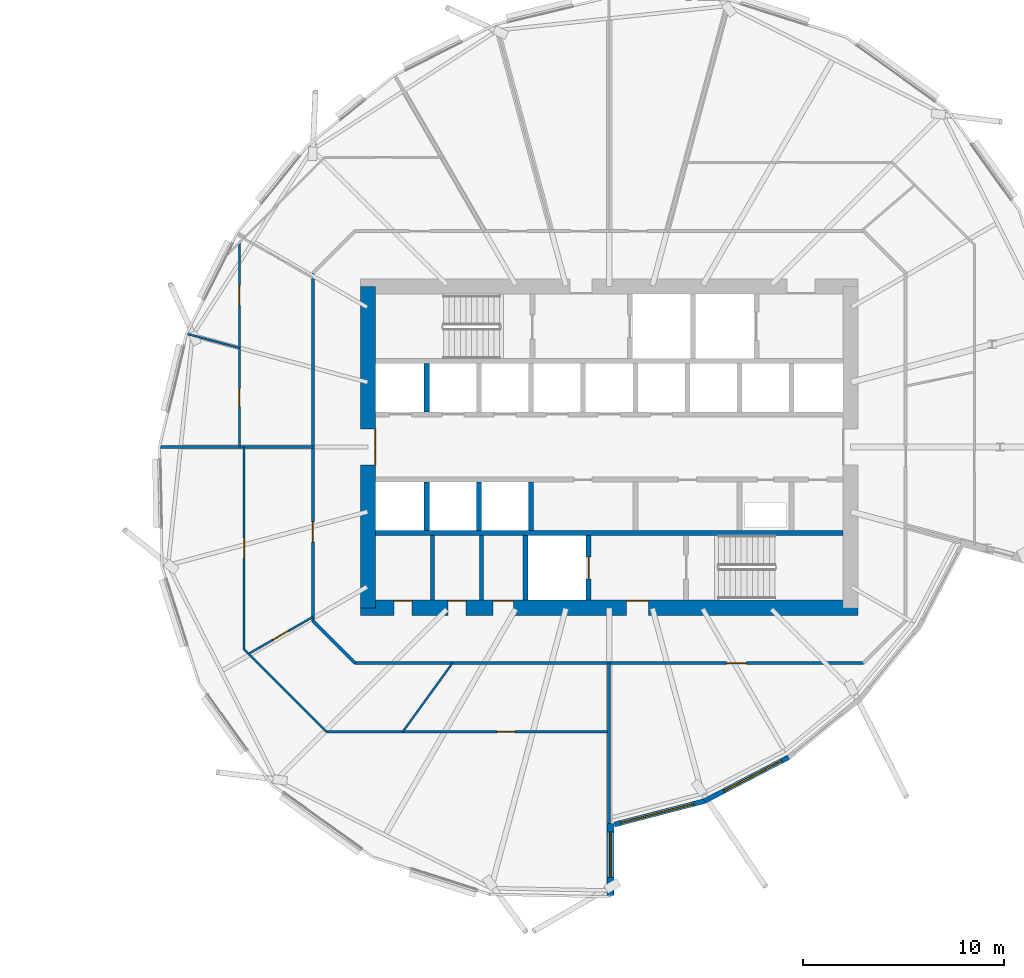
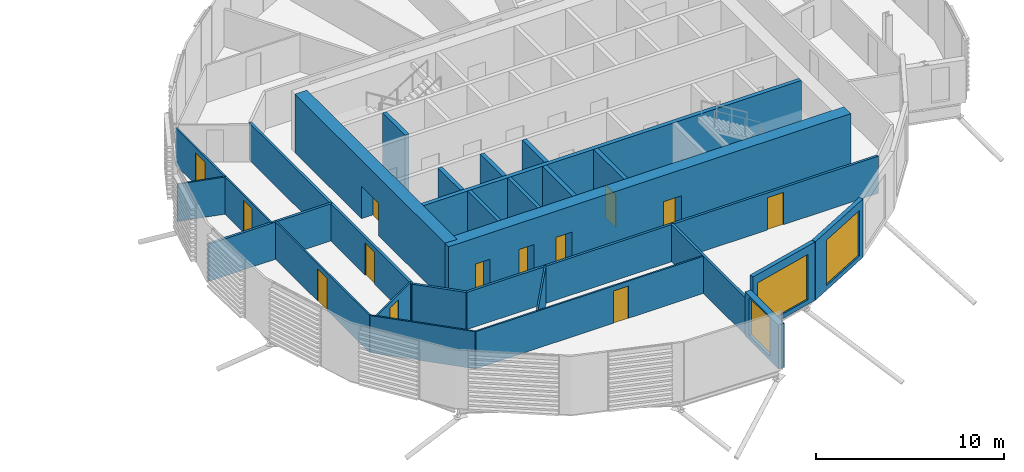
# One storey, part 25 of 42: 27 walls, 13 doors, 3 windows, 16 openings.
"""IFC4 building model written with IfcOpenShell, lengths in metres."""

from ifc_helpers import new_model, si_unit, direction, frame, frame_2d, origin, place, context, subcontext, project, spatial, rectangle, extrude, material, layer, layer_set, type_object, element, fill, save


model = new_model("IFC4")

# Units and contexts
model_context = context("Model", 3, precision=1e-05, world=origin(), true_north=direction((0.0, 1.0)))
body_context = subcontext(model_context, "Body", "Model", "MODEL_VIEW")
ifc_project = project(units=[si_unit("LENGTHUNIT", "METRE"), si_unit("AREAUNIT", "SQUARE_METRE"), si_unit("VOLUMEUNIT", "CUBIC_METRE"), si_unit("PLANEANGLEUNIT", "RADIAN"), si_unit("MASSUNIT", "GRAM", prefix="KILO")], contexts=[model_context])

# Site, building, storey
site_placement = place(None, origin())
site = spatial("IfcSite", under=ifc_project, at=site_placement, CompositionType="ELEMENT")
building_placement = place(site_placement, origin())
building = spatial("IfcBuilding", under=site, at=building_placement, Name="Rimbun Link Towers", CompositionType="ELEMENT")
storey_placement = place(building_placement, frame((0.0, 0.0, 85.39990234375)))
storey = spatial("IfcBuildingStorey", under=building, at=storey_placement, Name="L20", CompositionType="ELEMENT", Elevation=85.39990234375)

# Wall, opening, window
ifc_material_1 = material(Name="Dark enamelled glass spandrel on insulated aluminium backpan", Category="aluminium")
ifc_layer_1 = layer(ifc_material_1, 0.25)
ifc_layer_set_1 = layer_set([ifc_layer_1], Name="CS dark enamelled spandrel wall 250")
wall_type_1 = type_object("IfcWallType", Name="CS dark enamelled spandrel wall 250", PredefinedType="STANDARD", material=ifc_layer_set_1)
wall_1_placement = place(storey_placement, frame((36.486083984375, -17.623779296875, 0.0), z_axis=(0.0, 0.0, 1.0), x_axis=(-0.967713396726, -0.252053132883, 0.0)))
wall_1 = element("IfcWall", 1, at=wall_1_placement, inside=storey, type_object=wall_type_1, Name="Crease spandrel wall", PredefinedType="STANDARD", context=body_context, shape_type="SweptSolid", body=[
    extrude(rectangle(XDim=4.6357421875, YDim=0.25, at=frame_2d((2.31787109375, 0.0))), origin(), (0.0, 0.0, 1.0), 3.800048828125),
])
opening_1_placement = place(wall_1_placement, frame((0.550048828125, 0.0, 0.300048828125)))
opening_1 = element("IfcOpeningElement", 2, at=opening_1_placement, cuts=wall_1, Name="Opening WR38H295", PredefinedType="OPENING", context=body_context, shape_type="SweptSolid", body=[
    extrude(rectangle(XDim=3.75, YDim=2.949951171875, at=frame_2d((1.875, 1.47509765625))), frame((0.0, 0.135009765625, 0.0), z_axis=(0.0, -1.0, 0.0), x_axis=(1.0, 0.0, 0.0)), (0.0, 0.0, 1.0), 0.27001953125),
])
ifc_material_2 = material(Name="Aluminium framed fixed window, dark tinted low-e glass", Category="aluminium")
window_type_1 = type_object("IfcWindowType", Name="WR ribbon window 3750X2950", PartitioningType="SINGLE_PANEL", PredefinedType="WINDOW", material=ifc_material_2)
window_1_placement = place(opening_1_placement, origin())
window_1 = element("IfcWindow", 3, at=window_1_placement, inside=storey, type_object=window_type_1, Name="Crease ribbon window", OverallHeight=2.949951171875, OverallWidth=3.75, PartitioningType="SINGLE_PANEL", PredefinedType="WINDOW", context=body_context, shape_type="SweptSolid", body=[
    extrude(rectangle(XDim=3.75, YDim=2.949951171875, at=frame_2d((1.875, 1.47509765625))), frame((0.0, 0.030029296875, 0.0), z_axis=(0.0, -1.0, 0.0), x_axis=(1.0, 0.0, 0.0)), (0.0, 0.0, 1.0), 0.06005859375),
])
fill(opening_1, window_1)

wall_2_placement = place(storey_placement, frame((40.6748046875, -15.443359375, 0.0), z_axis=(0.0, 0.0, 1.0), x_axis=(-0.887018644264, -0.461733607969, 0.0)))
wall_2 = element("IfcWall", 4, at=wall_2_placement, inside=storey, type_object=wall_type_1, Name="Crease spandrel wall", PredefinedType="STANDARD", context=body_context, shape_type="SweptSolid", body=[
    extrude(rectangle(XDim=4.72216796875, YDim=0.25, at=frame_2d((2.361083984375, 0.0))), origin(), (0.0, 0.0, 1.0), 3.800048828125),
])
opening_2_placement = place(wall_2_placement, frame((0.384033203125, 0.0, 0.300048828125)))
opening_2 = element("IfcOpeningElement", 5, at=opening_2_placement, cuts=wall_2, Name="Opening WR32H295", PredefinedType="OPENING", context=body_context, shape_type="SweptSolid", body=[
    extrude(rectangle(XDim=3.25, YDim=2.949951171875, at=frame_2d((1.625, 1.47509765625))), frame((0.0, 0.135009765625, 0.0), z_axis=(0.0, -1.0, 0.0), x_axis=(1.0, 0.0, 0.0)), (0.0, 0.0, 1.0), 0.27001953125),
])
ifc_material_3 = material(Name="Aluminium framed fixed window, dark tinted low-e glass", Category="aluminium")
window_type_2 = type_object("IfcWindowType", Name="WR ribbon window 3250X2950", PartitioningType="SINGLE_PANEL", PredefinedType="WINDOW", material=ifc_material_3)
window_2_placement = place(opening_2_placement, origin())
window_2 = element("IfcWindow", 6, at=window_2_placement, inside=storey, type_object=window_type_2, Name="Crease ribbon window", OverallHeight=2.949951171875, OverallWidth=3.25, PartitioningType="SINGLE_PANEL", PredefinedType="WINDOW", context=body_context, shape_type="SweptSolid", body=[
    extrude(rectangle(XDim=3.25, YDim=2.949951171875, at=frame_2d((1.625, 1.47509765625))), frame((0.0, 0.030029296875, 0.0), z_axis=(0.0, -1.0, 0.0), x_axis=(1.0, 0.0, 0.0)), (0.0, 0.0, 1.0), 0.06005859375),
])
fill(opening_2, window_2)

ifc_material_4 = material(Name="Dark enamelled glass spandrel on insulated aluminium backpan", Category="aluminium")
ifc_layer_2 = layer(ifc_material_4, 0.3701171875)
ifc_layer_set_2 = layer_set([ifc_layer_2], Name="CS dark enamelled spandrel wall 370")
wall_type_2 = type_object("IfcWallType", Name="CS dark enamelled spandrel wall 370", PredefinedType="STANDARD", material=ifc_layer_set_2)
wall_3_placement = place(storey_placement, frame((31.81494140625, -18.728271484375, 0.0), z_axis=(0.0, 0.0, 1.0), x_axis=(0.0, -1.0, 0.0)))
wall_3 = element("IfcWall", 7, at=wall_3_placement, inside=storey, type_object=wall_type_2, Name="Crease spandrel wall", PredefinedType="STANDARD", context=body_context, shape_type="SweptSolid", body=[
    extrude(rectangle(XDim=3.580078125, YDim=0.3701171875, at=frame_2d((1.7900390625, 0.0))), origin(), (0.0, 0.0, 1.0), 2.867919921875),
])
opening_3_placement = place(wall_3_placement, frame((0.44287109375, 0.0, 0.300048828125)))
opening_3 = element("IfcOpeningElement", 8, at=opening_3_placement, cuts=wall_3, Name="Opening WR22H245", PredefinedType="OPENING", context=body_context, shape_type="SweptSolid", body=[
    extrude(rectangle(XDim=2.25, YDim=2.449951171875, at=frame_2d((1.125, 1.22509765625))), frame((0.0, 0.195068359375, 0.0), z_axis=(0.0, -1.0, 0.0), x_axis=(1.0, 0.0, 0.0)), (0.0, 0.0, 1.0), 0.39013671875),
])
ifc_material_5 = material(Name="Aluminium framed fixed window, dark tinted low-e glass", Category="aluminium")
window_type_3 = type_object("IfcWindowType", Name="WR ribbon window 2250X2450", PartitioningType="SINGLE_PANEL", PredefinedType="WINDOW", material=ifc_material_5)
window_3_placement = place(opening_3_placement, origin())
window_3 = element("IfcWindow", 9, at=window_3_placement, inside=storey, type_object=window_type_3, Name="Crease ribbon window", OverallHeight=2.449951171875, OverallWidth=2.25, PartitioningType="SINGLE_PANEL", PredefinedType="WINDOW", context=body_context, shape_type="SweptSolid", body=[
    extrude(rectangle(XDim=2.25, YDim=2.449951171875, at=frame_2d((1.125, 1.22509765625))), frame((0.0, 0.030029296875, 0.0), z_axis=(0.0, -1.0, 0.0), x_axis=(1.0, 0.0, 0.0)), (0.0, 0.0, 1.0), 0.06005859375),
])
fill(opening_3, window_3)

# Walls
ifc_material_6 = material(Name="Masonry blockwork", Category="masonry")
ifc_layer_3 = layer(ifc_material_6, 0.199951171875)
ifc_layer_set_3 = layer_set([ifc_layer_3], Name="Core partition 200")
wall_type_3 = type_object("IfcWallType", Name="Core partition 200", PredefinedType="PARTITIONING", material=ifc_layer_set_3)
for number, where, z_axis, x_axis, name in (
    (10, (22.949951171875, -4.39990234375, 0.0), (0.0, 0.0, 1.0), (0.0, -1.0, 0.0), "L20 T2 core wall C1"),
    (11, (25.39990234375, -4.39990234375, 0.0), (0.0, 0.0, 1.0), (0.0, -1.0, 0.0), "L20 T2 core wall C2"),
):
    element("IfcWall", number, at=place(storey_placement, frame(where, z_axis=z_axis, x_axis=x_axis)), inside=storey, type_object=wall_type_3, Name=name, PredefinedType="PARTITIONING", context=body_context, shape_type="SweptSolid", body=[
        extrude(rectangle(XDim=3.22509765625, YDim=0.199951171875, at=frame_2d((1.612548828125, 0.0))), origin(), (0.0, 0.0, 1.0), 3.800048828125),
    ])

# Wall, openings, doors
ifc_material_7 = material(Name="Concrete C60/75", Category="concrete")
ifc_layer_4 = layer(ifc_material_7, 0.75)
ifc_layer_set_4 = layer_set([ifc_layer_4], Name="Core shear wall 750")
wall_type_4 = type_object("IfcWallType", Name="Core shear wall 750", PredefinedType="SHEAR", material=ifc_layer_set_4)
wall_4_placement = place(storey_placement, frame((19.375, -8.0, 0.0), z_axis=(0.0, 0.0, 1.0), x_axis=(1.0, 0.0, 0.0)))
wall_4 = element("IfcWall", 12, at=wall_4_placement, inside=storey, type_object=wall_type_4, Name="L20 T2 core wall S", PredefinedType="SHEAR", context=body_context, shape_type="SweptSolid", body=[
    extrude(rectangle(XDim=24.75, YDim=0.75, at=frame_2d((12.375, 0.0))), origin(), (0.0, 0.0, 1.0), 3.800048828125),
])
opening_4_placement = place(wall_4_placement, frame((13.22509765625, 0.0, 0.0)))
opening_4 = element("IfcOpeningElement", 13, at=opening_4_placement, cuts=wall_4, Name="Opening C2DCF01S", PredefinedType="OPENING", context=body_context, shape_type="SweptSolid", body=[
    extrude(rectangle(XDim=1.10009765625, YDim=2.10009765625, at=frame_2d((0.550048828125, 1.050048828125))), frame((0.0, 0.385009765625, 0.0), z_axis=(0.0, -1.0, 0.0), x_axis=(1.0, 0.0, 0.0)), (0.0, 0.0, 1.0), 0.77001953125),
])
opening_5_placement = place(wall_4_placement, frame((1.66259765625, 0.0, 0.0)))
opening_5 = element("IfcOpeningElement", 14, at=opening_5_placement, cuts=wall_4, Name="Opening C2DWC02S", PredefinedType="OPENING", context=body_context, shape_type="SweptSolid", body=[
    extrude(rectangle(XDim=0.89990234375, YDim=2.10009765625, at=frame_2d((0.449951171875, 1.050048828125))), frame((0.0, 0.385009765625, 0.0), z_axis=(0.0, -1.0, 0.0), x_axis=(1.0, 0.0, 0.0)), (0.0, 0.0, 1.0), 0.77001953125),
])
opening_6_placement = place(wall_4_placement, frame((4.35009765625, 0.0, 0.0)))
opening_6 = element("IfcOpeningElement", 15, at=opening_6_placement, cuts=wall_4, Name="Opening C2DWC03S", PredefinedType="OPENING", context=body_context, shape_type="SweptSolid", body=[
    extrude(rectangle(XDim=0.89990234375, YDim=2.10009765625, at=frame_2d((0.449951171875, 1.050048828125))), frame((0.0, 0.385009765625, 0.0), z_axis=(0.0, -1.0, 0.0), x_axis=(1.0, 0.0, 0.0)), (0.0, 0.0, 1.0), 0.77001953125),
])
opening_7_placement = place(wall_4_placement, frame((6.60009765625, 0.0, 0.0)))
opening_7 = element("IfcOpeningElement", 16, at=opening_7_placement, cuts=wall_4, Name="Opening C2DAW04S", PredefinedType="OPENING", context=body_context, shape_type="SweptSolid", body=[
    extrude(rectangle(XDim=1.0, YDim=2.10009765625, at=frame_2d((0.5, 1.050048828125))), frame((0.0, 0.385009765625, 0.0), z_axis=(0.0, -1.0, 0.0), x_axis=(1.0, 0.0, 0.0)), (0.0, 0.0, 1.0), 0.77001953125),
])
ifc_material_8 = material(Name="Timber", Category="wood")
door_type_1 = type_object("IfcDoorType", Name="Accessible WC door", OperationType="SINGLE_SWING_LEFT", PredefinedType="DOOR", material=ifc_material_8)
door_1_placement = place(opening_7_placement, origin())
door_1 = element("IfcDoor", 17, at=door_1_placement, inside=storey, type_object=door_type_1, Name="L20 T2 accessible wc door", OperationType="SINGLE_SWING_RIGHT", OverallHeight=2.10009765625, OverallWidth=1.0, PredefinedType="DOOR", context=body_context, shape_type="SweptSolid", body=[
    extrude(rectangle(XDim=1.0, YDim=2.10009765625, at=frame_2d((0.5, 1.050048828125))), frame((0.0, 0.375, 0.0), z_axis=(0.0, -1.0, 0.0), x_axis=(1.0, 0.0, 0.0)), (0.0, 0.0, 1.0), 0.050048828125),
])
fill(opening_7, door_1)
ifc_material_9 = material(Name="Steel fire door set", Category="steel")
door_type_2 = type_object("IfcDoorType", Name="Core fire door single", OperationType="SINGLE_SWING_LEFT", PredefinedType="DOOR", material=ifc_material_9)
door_2_placement = place(opening_4_placement, origin())
door_2 = element("IfcDoor", 18, at=door_2_placement, inside=storey, type_object=door_type_2, Name="L20 T2 firefighting lobby s door", OperationType="SINGLE_SWING_RIGHT", OverallHeight=2.10009765625, OverallWidth=1.10009765625, PredefinedType="DOOR", context=body_context, shape_type="SweptSolid", body=[
    extrude(rectangle(XDim=1.10009765625, YDim=2.10009765625, at=frame_2d((0.550048828125, 1.050048828125))), frame((0.0, 0.375, 0.0), z_axis=(0.0, -1.0, 0.0), x_axis=(1.0, 0.0, 0.0)), (0.0, 0.0, 1.0), 0.050048828125),
])
fill(opening_4, door_2)
ifc_material_10 = material(Name="Timber", Category="wood")
door_type_3 = type_object("IfcDoorType", Name="WC door", OperationType="SINGLE_SWING_LEFT", PredefinedType="DOOR", material=ifc_material_10)
door_3_placement = place(opening_5_placement, origin())
door_3 = element("IfcDoor", 19, at=door_3_placement, inside=storey, type_object=door_type_3, Name="L20 T2 male wc door", OperationType="SINGLE_SWING_LEFT", OverallHeight=2.10009765625, OverallWidth=0.89990234375, PredefinedType="DOOR", context=body_context, shape_type="SweptSolid", body=[
    extrude(rectangle(XDim=0.89990234375, YDim=2.10009765625, at=frame_2d((0.449951171875, 1.050048828125))), frame((0.0, 0.375, 0.0), z_axis=(0.0, -1.0, 0.0), x_axis=(1.0, 0.0, 0.0)), (0.0, 0.0, 1.0), 0.050048828125),
])
fill(opening_5, door_3)
door_4_placement = place(opening_6_placement, origin())
door_4 = element("IfcDoor", 20, at=door_4_placement, inside=storey, type_object=door_type_3, Name="L20 T2 female wc door", OperationType="SINGLE_SWING_RIGHT", OverallHeight=2.10009765625, OverallWidth=0.89990234375, PredefinedType="DOOR", context=body_context, shape_type="SweptSolid", body=[
    extrude(rectangle(XDim=0.89990234375, YDim=2.10009765625, at=frame_2d((0.449951171875, 1.050048828125))), frame((0.0, 0.375, 0.0), z_axis=(0.0, -1.0, 0.0), x_axis=(1.0, 0.0, 0.0)), (0.0, 0.0, 1.0), 0.050048828125),
])
fill(opening_6, door_4)

# Wall, opening, door
wall_5_placement = place(storey_placement, frame((19.75, -8.0, 0.0), z_axis=(0.0, 0.0, 1.0), x_axis=(0.0, 1.0, 0.0)))
wall_5 = element("IfcWall", 21, at=wall_5_placement, inside=storey, type_object=wall_type_4, Name="L20 T2 core wall W", PredefinedType="SHEAR", context=body_context, shape_type="SweptSolid", body=[
    extrude(rectangle(XDim=16.0, YDim=0.75, at=frame_2d((8.0, 0.0))), origin(), (0.0, 0.0, 1.0), 3.800048828125),
])
opening_8_placement = place(wall_5_placement, frame((7.10009765625, 0.0, 0.0)))
opening_8 = element("IfcOpeningElement", 22, at=opening_8_placement, cuts=wall_5, Name="Opening C2DCL01W", PredefinedType="OPENING", context=body_context, shape_type="SweptSolid", body=[
    extrude(rectangle(XDim=1.800048828125, YDim=2.10009765625, at=frame_2d((0.89990234375, 1.050048828125))), frame((0.0, 0.385009765625, 0.0), z_axis=(0.0, -1.0, 0.0), x_axis=(1.0, 0.0, 0.0)), (0.0, 0.0, 1.0), 0.77001953125),
])
ifc_material_11 = material(Name="Steel fire door set", Category="steel")
door_type_4 = type_object("IfcDoorType", Name="Core lobby door double", OperationType="DOUBLE_DOOR_SINGLE_SWING", PredefinedType="DOOR", material=ifc_material_11)
door_5_placement = place(opening_8_placement, origin())
door_5 = element("IfcDoor", 23, at=door_5_placement, inside=storey, type_object=door_type_4, Name="L20 T2 lift lobby door", OperationType="DOUBLE_DOOR_SINGLE_SWING", OverallHeight=2.10009765625, OverallWidth=1.800048828125, PredefinedType="DOOR", context=body_context, shape_type="SweptSolid", body=[
    extrude(rectangle(XDim=1.800048828125, YDim=2.10009765625, at=frame_2d((0.89990234375, 1.050048828125))), frame((0.0, -0.3251953125, 0.0), z_axis=(0.0, -1.0, 0.0), x_axis=(1.0, 0.0, 0.0)), (0.0, 0.0, 1.0), 0.050048828125),
])
fill(opening_8, door_5)

ifc_material_12 = material(Name="Plasterboard on steel stud, mineral wool", Category="steel")
ifc_layer_5 = layer(ifc_material_12, 0.14990234375)
ifc_layer_set_5 = layer_set([ifc_layer_5], Name="Corridor wall EI 30 150 mm")
wall_type_5 = type_object("IfcWallType", Name="Corridor wall EI 30 150 mm", PredefinedType="PARTITIONING", material=ifc_layer_set_5)
wall_6_placement = place(storey_placement, frame((44.401611328125, -10.75, 0.0), z_axis=(0.0, 0.0, 1.0), x_axis=(-1.0, 0.0, 0.0)))
wall_6 = element("IfcWall", 24, at=wall_6_placement, inside=storey, type_object=wall_type_5, Name="Corridor wall EI 30 150 mm", PredefinedType="PARTITIONING", context=body_context, shape_type="SweptSolid", body=[
    extrude(rectangle(XDim=25.30322265625, YDim=0.14990234375, at=frame_2d((12.651611328125, 0.0))), origin(), (0.0, 0.0, 1.0), 2.420166015625),
])
opening_9_placement = place(wall_6_placement, frame((5.825927734375, 0.0, 0.0)))
opening_9 = element("IfcOpeningElement", 25, at=opening_9_placement, cuts=wall_6, Name="Opening D01", PredefinedType="OPENING", context=body_context, shape_type="SweptSolid", body=[
    extrude(rectangle(XDim=1.0, YDim=2.10009765625, at=frame_2d((0.5, 1.050048828125))), frame((0.0, 0.0849609375, 0.0), z_axis=(0.0, -1.0, 0.0), x_axis=(1.0, 0.0, 0.0)), (0.0, 0.0, 1.0), 0.169921875),
])
ifc_material_13 = material(Name="Fire-resisting timber door leaf", Category="wood")
door_type_5 = type_object("IfcDoorType", Name="Fire door FD30S 1000", OperationType="NOTDEFINED", PredefinedType="DOOR", material=ifc_material_13)
door_6_placement = place(opening_9_placement, origin())
door_6 = element("IfcDoor", 26, at=door_6_placement, inside=storey, type_object=door_type_5, Name="Fire door FD30S 1000 to Terrace office", OperationType="SINGLE_SWING_LEFT", OverallHeight=2.10009765625, OverallWidth=1.0, PredefinedType="DOOR", context=body_context, shape_type="SweptSolid", body=[
    extrude(rectangle(XDim=1.0, YDim=2.10009765625, at=frame_2d((0.5, 1.050048828125))), frame((0.0, 0.02490234375, 0.0), z_axis=(0.0, -1.0, 0.0), x_axis=(1.0, 0.0, 0.0)), (0.0, 0.0, 1.0), 0.050048828125),
])
fill(opening_9, door_6)

# Wall
wall_7_placement = place(storey_placement, frame((17.0, -8.651611328125, 0.0), z_axis=(0.0, 0.0, 1.0), x_axis=(0.707106781187, -0.707106781187, 0.0)))
element("IfcWall", 27, at=wall_7_placement, inside=storey, type_object=wall_type_5, Name="Corridor wall EI 30 150 mm", PredefinedType="PARTITIONING", context=body_context, shape_type="SweptSolid", body=[
    extrude(rectangle(XDim=2.967529296875, YDim=0.14990234375, at=frame_2d((1.48388671875, 0.0))), origin(), (0.0, 0.0, 1.0), 2.420166015625),
])

# Wall, opening, door
wall_8_placement = place(storey_placement, frame((17.0, -8.651611328125, 0.0), z_axis=(0.0, 0.0, 1.0), x_axis=(0.0, 1.0, 0.0)))
wall_8 = element("IfcWall", 28, at=wall_8_placement, inside=storey, type_object=wall_type_5, Name="Corridor wall EI 30 150 mm", PredefinedType="PARTITIONING", context=body_context, shape_type="SweptSolid", body=[
    extrude(rectangle(XDim=17.30322265625, YDim=0.14990234375, at=frame_2d((8.651611328125, 0.0))), origin(), (0.0, 0.0, 1.0), 2.420166015625),
])
opening_10_placement = place(wall_8_placement, frame((3.92333984375, 0.0, 0.0)))
opening_10 = element("IfcOpeningElement", 29, at=opening_10_placement, cuts=wall_8, Name="Opening D01", PredefinedType="OPENING", context=body_context, shape_type="SweptSolid", body=[
    extrude(rectangle(XDim=1.0, YDim=2.10009765625, at=frame_2d((0.5, 1.050048828125))), frame((0.0, 0.0849609375, 0.0), z_axis=(0.0, -1.0, 0.0), x_axis=(1.0, 0.0, 0.0)), (0.0, 0.0, 1.0), 0.169921875),
])
door_7_placement = place(opening_10_placement, origin())
door_7 = element("IfcDoor", 30, at=door_7_placement, inside=storey, type_object=door_type_5, Name="Fire door FD30S 1000 to Reception", OperationType="SINGLE_SWING_RIGHT", OverallHeight=2.10009765625, OverallWidth=1.0, PredefinedType="DOOR", context=body_context, shape_type="SweptSolid", body=[
    extrude(rectangle(XDim=1.0, YDim=2.10009765625, at=frame_2d((0.5, 1.050048828125))), frame((0.0, 0.02490234375, 0.0), z_axis=(0.0, -1.0, 0.0), x_axis=(1.0, 0.0, 0.0)), (0.0, 0.0, 1.0), 0.050048828125),
])
fill(opening_10, door_7)

ifc_material_14 = material(Name="Plasterboard on steel stud", Category="steel")
ifc_layer_6 = layer(ifc_material_14, 0.10009765625)
ifc_layer_set_6 = layer_set([ifc_layer_6], Name="Plasterboard partition 100 mm")
wall_type_6 = type_object("IfcWallType", Name="Plasterboard partition 100 mm", PredefinedType="PARTITIONING", material=ifc_layer_set_6)
wall_9_placement = place(storey_placement, frame((13.340087890625, 4.93310546875, 0.0), z_axis=(0.0, 0.0, 1.0), x_axis=(0.0, 1.0, 0.0)))
wall_9 = element("IfcWall", 31, at=wall_9_placement, inside=storey, type_object=wall_type_6, Name="Plasterboard partition 100 mm", PredefinedType="PARTITIONING", context=body_context, shape_type="SweptSolid", body=[
    extrude(rectangle(XDim=5.234619140625, YDim=0.10009765625, at=frame_2d((2.6171875, 0.0))), origin(), (0.0, 0.0, 1.0), 2.420166015625),
])
opening_11_placement = place(wall_9_placement, frame((2.1171875, 0.0, 0.0)))
opening_11 = element("IfcOpeningElement", 32, at=opening_11_placement, cuts=wall_9, Name="Opening D03", PredefinedType="OPENING", context=body_context, shape_type="SweptSolid", body=[
    extrude(rectangle(XDim=1.0, YDim=2.10009765625, at=frame_2d((0.5, 1.050048828125))), frame((0.0, 0.06005859375, 0.0), z_axis=(0.0, -1.0, 0.0), x_axis=(1.0, 0.0, 0.0)), (0.0, 0.0, 1.0), 0.1201171875),
])
ifc_material_15 = material(Name="Timber door leaf", Category="wood")
door_type_6 = type_object("IfcDoorType", Name="Flush door 1000", OperationType="NOTDEFINED", PredefinedType="DOOR", material=ifc_material_15)
door_8_placement = place(opening_11_placement, origin())
door_8 = element("IfcDoor", 33, at=door_8_placement, inside=storey, type_object=door_type_6, Name="Flush door 1000 to Open office", OperationType="SINGLE_SWING_RIGHT", OverallHeight=2.10009765625, OverallWidth=1.0, PredefinedType="DOOR", context=body_context, shape_type="SweptSolid", body=[
    extrude(rectangle(XDim=1.0, YDim=2.10009765625, at=frame_2d((0.5, 1.050048828125))), frame((0.0, 0.02490234375, 0.0), z_axis=(0.0, -1.0, 0.0), x_axis=(1.0, 0.0, 0.0)), (0.0, 0.0, 1.0), 0.050048828125),
])
fill(opening_11, door_8)

wall_10_placement = place(storey_placement, frame((13.340087890625, 0.0, 0.0), z_axis=(0.0, 0.0, 1.0), x_axis=(0.0, 1.0, 0.0)))
wall_10 = element("IfcWall", 34, at=wall_10_placement, inside=storey, type_object=wall_type_6, Name="Plasterboard partition 100 mm", PredefinedType="PARTITIONING", context=body_context, shape_type="SweptSolid", body=[
    extrude(rectangle(XDim=4.93310546875, YDim=0.10009765625, at=frame_2d((2.466552734375, 0.0))), origin(), (0.0, 0.0, 1.0), 2.420166015625),
])
opening_12_placement = place(wall_10_placement, frame((2.0166015625, 0.0, 0.0)))
opening_12 = element("IfcOpeningElement", 35, at=opening_12_placement, cuts=wall_10, Name="Opening D04", PredefinedType="OPENING", context=body_context, shape_type="SweptSolid", body=[
    extrude(rectangle(XDim=0.89990234375, YDim=2.10009765625, at=frame_2d((0.449951171875, 1.050048828125))), frame((0.0, 0.06005859375, 0.0), z_axis=(0.0, -1.0, 0.0), x_axis=(1.0, 0.0, 0.0)), (0.0, 0.0, 1.0), 0.1201171875),
])
ifc_material_16 = material(Name="Timber door leaf", Category="wood")
door_type_7 = type_object("IfcDoorType", Name="Flush door 900", OperationType="NOTDEFINED", PredefinedType="DOOR", material=ifc_material_16)
door_9_placement = place(opening_12_placement, origin())
door_9 = element("IfcDoor", 36, at=door_9_placement, inside=storey, type_object=door_type_7, Name="Flush door 900 to Boardroom", OperationType="SINGLE_SWING_LEFT", OverallHeight=2.10009765625, OverallWidth=0.89990234375, PredefinedType="DOOR", context=body_context, shape_type="SweptSolid", body=[
    extrude(rectangle(XDim=0.89990234375, YDim=2.10009765625, at=frame_2d((0.449951171875, 1.050048828125))), frame((0.0, 0.02490234375, 0.0), z_axis=(0.0, -1.0, 0.0), x_axis=(1.0, 0.0, 0.0)), (0.0, 0.0, 1.0), 0.050048828125),
])
fill(opening_12, door_9)

# Wall
wall_11_placement = place(storey_placement, frame((10.766357421875, 5.62255859375, 0.0), z_axis=(0.0, 0.0, 1.0), x_axis=(0.965942326221, -0.258757458665, 0.0)))
element("IfcWall", 37, at=wall_11_placement, inside=storey, type_object=wall_type_6, Name="Plasterboard partition 100 mm", PredefinedType="PARTITIONING", context=body_context, shape_type="SweptSolid", body=[
    extrude(rectangle(XDim=2.66455078125, YDim=0.10009765625, at=frame_2d((1.332275390625, 0.0))), origin(), (0.0, 0.0, 1.0), 2.420166015625),
])

# Wall, opening, door
wall_12_placement = place(storey_placement, frame((17.0, -8.45654296875, 0.0), z_axis=(0.0, 0.0, 1.0), x_axis=(-0.867533095904, -0.497379460282, 0.0)))
wall_12 = element("IfcWall", 38, at=wall_12_placement, inside=storey, type_object=wall_type_6, Name="Plasterboard partition 100 mm", PredefinedType="PARTITIONING", context=body_context, shape_type="SweptSolid", body=[
    extrude(rectangle(XDim=3.686279296875, YDim=0.10009765625, at=frame_2d((1.84326171875, 0.0))), origin(), (0.0, 0.0, 1.0), 2.420166015625),
])
opening_13_placement = place(wall_12_placement, frame((1.393310546875, 0.0, 0.0)))
opening_13 = element("IfcOpeningElement", 39, at=opening_13_placement, cuts=wall_12, Name="Opening D04", PredefinedType="OPENING", context=body_context, shape_type="SweptSolid", body=[
    extrude(rectangle(XDim=0.89990234375, YDim=2.10009765625, at=frame_2d((0.449951171875, 1.050048828125))), frame((0.0, 0.06005859375, 0.0), z_axis=(0.0, -1.0, 0.0), x_axis=(1.0, 0.0, 0.0)), (0.0, 0.0, 1.0), 0.1201171875),
])
door_10_placement = place(opening_13_placement, origin())
door_10 = element("IfcDoor", 40, at=door_10_placement, inside=storey, type_object=door_type_7, Name="Flush door 900 to Meeting room", OperationType="SINGLE_SWING_RIGHT", OverallHeight=2.10009765625, OverallWidth=0.89990234375, PredefinedType="DOOR", context=body_context, shape_type="SweptSolid", body=[
    extrude(rectangle(XDim=0.89990234375, YDim=2.10009765625, at=frame_2d((0.449951171875, 1.050048828125))), frame((0.0, 0.02490234375, 0.0), z_axis=(0.0, -1.0, 0.0), x_axis=(1.0, 0.0, 0.0)), (0.0, 0.0, 1.0), 0.050048828125),
])
fill(opening_13, door_10)

wall_13_placement = place(storey_placement, frame((13.580078125, -10.068359375, 0.0), z_axis=(0.0, 0.0, 1.0), x_axis=(0.0, 1.0, 0.0)))
wall_13 = element("IfcWall", 41, at=wall_13_placement, inside=storey, type_object=wall_type_6, Name="Plasterboard partition 100 mm", PredefinedType="PARTITIONING", context=body_context, shape_type="SweptSolid", body=[
    extrude(rectangle(XDim=10.068359375, YDim=0.10009765625, at=frame_2d((5.0341796875, 0.0))), origin(), (0.0, 0.0, 1.0), 2.420166015625),
])
opening_14_placement = place(wall_13_placement, frame((4.5341796875, 0.0, 0.0)))
opening_14 = element("IfcOpeningElement", 42, at=opening_14_placement, cuts=wall_13, Name="Opening D03", PredefinedType="OPENING", context=body_context, shape_type="SweptSolid", body=[
    extrude(rectangle(XDim=1.0, YDim=2.10009765625, at=frame_2d((0.5, 1.050048828125))), frame((0.0, 0.06005859375, 0.0), z_axis=(0.0, -1.0, 0.0), x_axis=(1.0, 0.0, 0.0)), (0.0, 0.0, 1.0), 0.1201171875),
])
door_11_placement = place(opening_14_placement, origin())
door_11 = element("IfcDoor", 43, at=door_11_placement, inside=storey, type_object=door_type_6, Name="Flush door 1000 to Open office", OperationType="SINGLE_SWING_LEFT", OverallHeight=2.10009765625, OverallWidth=1.0, PredefinedType="DOOR", context=body_context, shape_type="SweptSolid", body=[
    extrude(rectangle(XDim=1.0, YDim=2.10009765625, at=frame_2d((0.5, 1.050048828125))), frame((0.0, 0.02490234375, 0.0), z_axis=(0.0, -1.0, 0.0), x_axis=(1.0, 0.0, 0.0)), (0.0, 0.0, 1.0), 0.050048828125),
])
fill(opening_14, door_11)

# Walls
wall_14_placement = place(storey_placement, frame((13.580078125, -10.068359375, 0.0), z_axis=(0.0, 0.0, 1.0), x_axis=(0.707106781187, -0.707106781187, 0.0)))
element("IfcWall", 44, at=wall_14_placement, inside=storey, type_object=wall_type_6, Name="Plasterboard partition 100 mm", PredefinedType="PARTITIONING", context=body_context, shape_type="SweptSolid", body=[
    extrude(rectangle(XDim=5.800537109375, YDim=0.10009765625, at=frame_2d((2.900390625, 0.0))), origin(), (0.0, 0.0, 1.0), 2.420166015625),
])
wall_15_placement = place(storey_placement, frame((21.474609375, -14.169921875, 0.0), z_axis=(0.0, 0.0, 1.0), x_axis=(0.587050906229, 0.809550019144, 0.0)))
element("IfcWall", 45, at=wall_15_placement, inside=storey, type_object=wall_type_6, Name="Plasterboard partition 100 mm", PredefinedType="PARTITIONING", context=body_context, shape_type="SweptSolid", body=[
    extrude(rectangle(XDim=4.224365234375, YDim=0.10009765625, at=frame_2d((2.1123046875, 0.0))), origin(), (0.0, 0.0, 1.0), 2.420166015625),
])

# Wall, opening, door
wall_16_placement = place(storey_placement, frame((17.681640625, -14.169921875, 0.0), z_axis=(0.0, 0.0, 1.0), x_axis=(1.0, 0.0, 0.0)))
wall_16 = element("IfcWall", 46, at=wall_16_placement, inside=storey, type_object=wall_type_6, Name="Plasterboard partition 100 mm", PredefinedType="PARTITIONING", context=body_context, shape_type="SweptSolid", body=[
    extrude(rectangle(XDim=14.068359375, YDim=0.10009765625, at=frame_2d((7.0341796875, 0.0))), origin(), (0.0, 0.0, 1.0), 2.420166015625),
])
opening_15_placement = place(wall_16_placement, frame((8.480712890625, 0.0, 0.0)))
opening_15 = element("IfcOpeningElement", 47, at=opening_15_placement, cuts=wall_16, Name="Opening D04", PredefinedType="OPENING", context=body_context, shape_type="SweptSolid", body=[
    extrude(rectangle(XDim=0.89990234375, YDim=2.10009765625, at=frame_2d((0.449951171875, 1.050048828125))), frame((0.0, 0.06005859375, 0.0), z_axis=(0.0, -1.0, 0.0), x_axis=(1.0, 0.0, 0.0)), (0.0, 0.0, 1.0), 0.1201171875),
])
door_12_placement = place(opening_15_placement, origin())
door_12 = element("IfcDoor", 48, at=door_12_placement, inside=storey, type_object=door_type_7, Name="Flush door 900 to Print room", OperationType="SINGLE_SWING_LEFT", OverallHeight=2.10009765625, OverallWidth=0.89990234375, PredefinedType="DOOR", context=body_context, shape_type="SweptSolid", body=[
    extrude(rectangle(XDim=0.89990234375, YDim=2.10009765625, at=frame_2d((0.449951171875, 1.050048828125))), frame((0.0, 0.02490234375, 0.0), z_axis=(0.0, -1.0, 0.0), x_axis=(1.0, 0.0, 0.0)), (0.0, 0.0, 1.0), 0.050048828125),
])
fill(opening_15, door_12)

# Walls
ifc_material_17 = material(Name="Concrete C60/75", Category="concrete")
ifc_layer_7 = layer(ifc_material_17, 0.25)
ifc_layer_set_7 = layer_set([ifc_layer_7], Name="Shaft wall 250")
wall_type_7 = type_object("IfcWallType", Name="Shaft wall 250", PredefinedType="SHEAR", material=ifc_layer_set_7)
wall_17_placement = place(storey_placement, frame((20.125, -4.27490234375, 0.0), z_axis=(0.0, 0.0, 1.0), x_axis=(1.0, 0.0, 0.0)))
element("IfcWall", 49, at=wall_17_placement, inside=storey, type_object=wall_type_7, Name="L20 T2 core wall BS", PredefinedType="SHEAR", context=body_context, shape_type="SweptSolid", body=[
    extrude(rectangle(XDim=23.25, YDim=0.25, at=frame_2d((11.625, 0.0))), origin(), (0.0, 0.0, 1.0), 3.800048828125),
])
for number, where, z_axis, x_axis, name in (
    (50, (22.66943359375, 1.75, 0.0), (0.0, 0.0, 1.0), (0.0, 1.0, 0.0), "L20 T2 core wall DN0"),
    (51, (22.66943359375, -4.14990234375, 0.0), (0.0, 0.0, 1.0), (0.0, 1.0, 0.0), "L20 T2 core wall DS0"),
    (52, (25.263916015625, -4.14990234375, 0.0), (0.0, 0.0, 1.0), (0.0, 1.0, 0.0), "L20 T2 core wall DS1"),
    (53, (27.8583984375, -4.14990234375, 0.0), (0.0, 0.0, 1.0), (0.0, 1.0, 0.0), "L20 T2 core wall DS2"),
):
    element("IfcWall", number, at=place(storey_placement, frame(where, z_axis=z_axis, x_axis=x_axis)), inside=storey, type_object=wall_type_7, Name=name, PredefinedType="SHEAR", context=body_context, shape_type="SweptSolid", body=[
        extrude(rectangle(XDim=2.39990234375, YDim=0.25, at=frame_2d((1.199951171875, 0.0))), origin(), (0.0, 0.0, 1.0), 3.800048828125),
    ])

# Wall, opening, door
wall_18_placement = place(storey_placement, frame((30.72509765625, -4.39990234375, 0.0), z_axis=(0.0, 0.0, 1.0), x_axis=(0.0, -1.0, 0.0)))
wall_18 = element("IfcWall", 54, at=wall_18_placement, inside=storey, type_object=wall_type_7, Name="L20 T2 core wall B2", PredefinedType="SHEAR", context=body_context, shape_type="SweptSolid", body=[
    extrude(rectangle(XDim=3.22509765625, YDim=0.25, at=frame_2d((1.612548828125, 0.0))), origin(), (0.0, 0.0, 1.0), 3.800048828125),
])
opening_16_placement = place(wall_18_placement, frame((1.0625, 0.0, 0.0)))
opening_16 = element("IfcOpeningElement", 55, at=opening_16_placement, cuts=wall_18, Name="Opening LD-T2-FF2", PredefinedType="OPENING", context=body_context, shape_type="SweptSolid", body=[
    extrude(rectangle(XDim=1.10009765625, YDim=2.10009765625, at=frame_2d((0.550048828125, 1.050048828125))), frame((0.0, 0.135009765625, 0.0), z_axis=(0.0, -1.0, 0.0), x_axis=(1.0, 0.0, 0.0)), (0.0, 0.0, 1.0), 0.27001953125),
])
ifc_material_18 = material(Name="Stainless steel grade 316", Category="steel")
door_type_8 = type_object("IfcDoorType", Name="Lift landing door", OperationType="DOUBLE_DOOR_SLIDING", PredefinedType="DOOR", material=ifc_material_18)
door_13_placement = place(opening_16_placement, origin())
door_13 = element("IfcDoor", 56, at=door_13_placement, inside=storey, type_object=door_type_8, Name="L20 T2 lift FF2 landing door", OperationType="DOUBLE_DOOR_SLIDING", OverallHeight=2.10009765625, OverallWidth=1.10009765625, PredefinedType="DOOR", context=body_context, shape_type="SweptSolid", body=[
    extrude(rectangle(XDim=1.10009765625, YDim=2.10009765625, at=frame_2d((0.550048828125, 1.050048828125))), frame((0.0, 0.02490234375, 0.0), z_axis=(0.0, -1.0, 0.0), x_axis=(1.0, 0.0, 0.0)), (0.0, 0.0, 1.0), 0.050048828125),
])
fill(opening_16, door_13)

# Walls
wall_19_placement = place(storey_placement, frame((27.574951171875, -4.39990234375, 0.0), z_axis=(0.0, 0.0, 1.0), x_axis=(0.0, -1.0, 0.0)))
element("IfcWall", 57, at=wall_19_placement, inside=storey, type_object=wall_type_7, Name="L20 T2 core wall B3", PredefinedType="SHEAR", context=body_context, shape_type="SweptSolid", body=[
    extrude(rectangle(XDim=3.22509765625, YDim=0.25, at=frame_2d((1.612548828125, 0.0))), origin(), (0.0, 0.0, 1.0), 3.800048828125),
])
ifc_material_19 = material(Name="Plasterboard on steel stud, mineral wool", Category="steel")
ifc_layer_8 = layer(ifc_material_19, 0.14990234375)
ifc_layer_set_8 = layer_set([ifc_layer_8], Name="Tenancy separation wall EI 60 150 mm")
wall_type_8 = type_object("IfcWallType", Name="Tenancy separation wall EI 60 150 mm", PredefinedType="PARTITIONING", material=ifc_layer_set_8)
wall_20_placement = place(storey_placement, frame((17.0, 0.0, 0.0), z_axis=(0.0, 0.0, 1.0), x_axis=(-1.0, 0.0, 0.0)))
element("IfcWall", 58, at=wall_20_placement, inside=storey, type_object=wall_type_8, Name="Tenancy separation wall EI 60 150 mm", PredefinedType="PARTITIONING", context=body_context, shape_type="SweptSolid", body=[
    extrude(rectangle(XDim=7.578369140625, YDim=0.14990234375, at=frame_2d((3.7890625, 0.0))), origin(), (0.0, 0.0, 1.0), 2.420166015625),
])
wall_21_placement = place(storey_placement, frame((31.75, -10.75, 0.0), z_axis=(0.0, 0.0, 1.0), x_axis=(0.0, -1.0, 0.0)))
element("IfcWall", 59, at=wall_21_placement, inside=storey, type_object=wall_type_8, Name="Tenancy separation wall EI 60 150 mm", PredefinedType="PARTITIONING", context=body_context, shape_type="SweptSolid", body=[
    extrude(rectangle(XDim=7.978271484375, YDim=0.14990234375, at=frame_2d((3.9892578125, 0.0))), origin(), (0.0, 0.0, 1.0), 2.420166015625),
])

save(model, "model.ifc")
